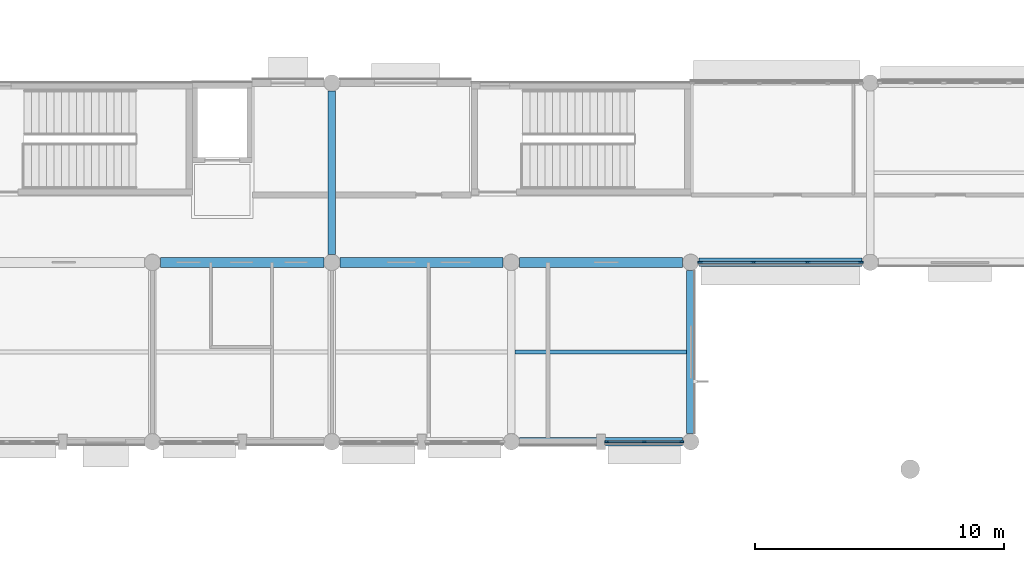
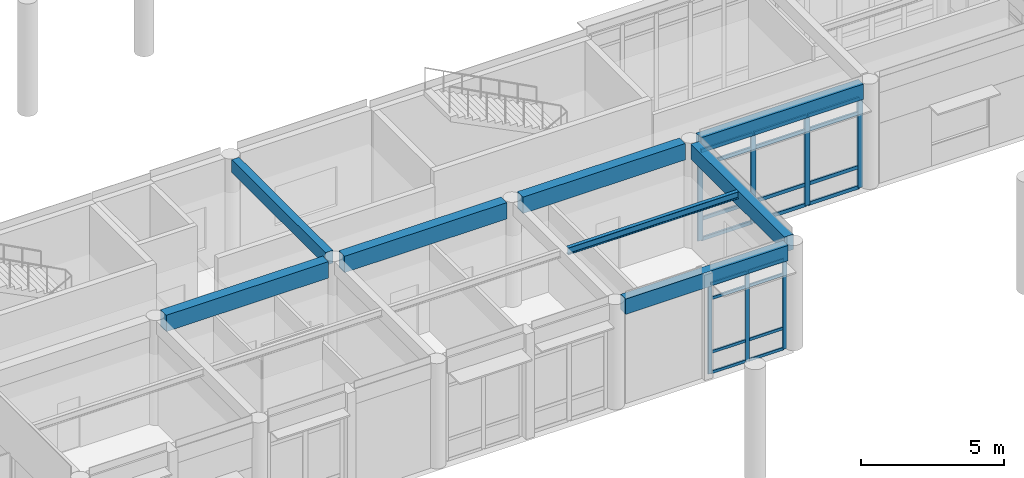
# One storey, part 14 of 92: 27 members, 8 beams, 2 elements without a shape of their own.
"""IFC4 building model written with IfcOpenShell, lengths in metres."""

import ifcopenshell
import ifcopenshell.guid

model = None  # the IFC model being written
_history = None  # IfcOwnerHistory: only IFC2X3 demands one
_inside = {}  # id of a spatial element -> (the spatial element, [elements in it])
_under = {}  # id of a project, library or spatial element -> (it, [spatial elements below it])
_declared = {}  # id of a project -> (the project, [libraries it declares])
_typed = {}  # id of a type object -> (the type object, [elements of that type])
_made_of = {}  # id of a material, layer set ... -> (it, [elements and type objects made of it])


def new_model(schema):
    """Start an empty IFC model of exactly this schema.

    Asked for "IFC4X3", IfcOpenShell would pick the latest addendum, in which some entities
    have other attributes; the version numbers below select the first issue.
    IFC2X3 requires an IfcOwnerHistory on every rooted entity: one is made here for all.
    """
    global model, _history
    if schema == "IFC4X3":
        model = ifcopenshell.file(schema_version=(4, 3, 0, 0))
    else:
        model = ifcopenshell.file(schema=schema)
    _inside.clear()
    _under.clear()
    _declared.clear()
    _typed.clear()
    _made_of.clear()
    _history = None
    if model.schema == "IFC2X3":
        org = make("IfcOrganization", Name="unknown")
        user = make(
            "IfcPersonAndOrganization",
            ThePerson=make("IfcPerson", FamilyName="unknown"),
            TheOrganization=org,
        )
        app = make(
            "IfcApplication",
            ApplicationDeveloper=org,
            Version="unknown",
            ApplicationFullName="unknown",
            ApplicationIdentifier="unknown",
        )
        _history = make(
            "IfcOwnerHistory",
            OwningUser=user,
            OwningApplication=app,
            ChangeAction="ADDED",
            CreationDate=0,
        )
    return model


def make(cls, **values):
    """One entity of the class cls with the attributes given. An attribute that is None is left unset."""
    return model.create_entity(
        cls, **{name: value for name, value in values.items() if value is not None}
    )


def rooted(cls, **values):
    """An entity with a GlobalId (a new one), such as an element, a storey or a relation."""
    return make(cls, GlobalId=ifcopenshell.guid.new(), OwnerHistory=_history, **values)


def si_unit(unit_type, name, prefix=None):
    """IfcSIUnit, for example si_unit("LENGTHUNIT", "METRE", prefix="MILLI")."""
    return make("IfcSIUnit", UnitType=unit_type, Prefix=prefix, Name=name)


def assignment(units):
    """IfcUnitAssignment: the units of a project."""
    return None if units is None else make("IfcUnitAssignment", Units=units)


def point(xyz):
    """IfcCartesianPoint."""
    return None if xyz is None else make("IfcCartesianPoint", Coordinates=xyz)


def direction(xyz):
    """IfcDirection."""
    return None if xyz is None else make("IfcDirection", DirectionRatios=xyz)


def frame(location, z_axis=None, x_axis=None):
    """IfcAxis2Placement3D, a coordinate frame: its origin and axes. An axis left out is left unset."""
    return make(
        "IfcAxis2Placement3D",
        Location=point(location),
        Axis=direction(z_axis),
        RefDirection=direction(x_axis),
    )


def frame_2d(location, x_axis=None):
    """IfcAxis2Placement2D, a coordinate frame in the plane: its origin and x axis."""
    return make(
        "IfcAxis2Placement2D", Location=point(location), RefDirection=direction(x_axis)
    )


def origin():
    """The frame at (0, 0, 0) with its axes left unset."""
    return frame((0.0, 0.0, 0.0))


def origin_2d():
    """The frame at (0, 0) in the plane with its x axis left unset."""
    return frame_2d((0.0, 0.0))


def place(relative_to, where):
    """IfcLocalPlacement: puts the frame where relative to a parent placement (None: the world)."""
    return make(
        "IfcLocalPlacement", PlacementRelTo=relative_to, RelativePlacement=where
    )


def context(
    kind, dimensions, precision=None, world=None, true_north=None, identifier=None
):
    """IfcGeometricRepresentationContext, for example the 3D "Model" context."""
    return make(
        "IfcGeometricRepresentationContext",
        ContextIdentifier=identifier,
        ContextType=kind,
        CoordinateSpaceDimension=dimensions,
        Precision=precision,
        WorldCoordinateSystem=world,
        TrueNorth=true_north,
    )


def subcontext(parent, identifier, kind, view, scale=None):
    """IfcGeometricRepresentationSubContext, for example "Body" below "Model"."""
    return make(
        "IfcGeometricRepresentationSubContext",
        ContextIdentifier=identifier,
        ContextType=kind,
        ParentContext=parent,
        TargetScale=scale,
        TargetView=view,
    )


def project(units=None, contexts=None):
    """IfcProject with its units and contexts."""
    return rooted(
        "IfcProject",
        Name="project",
        RepresentationContexts=contexts,
        UnitsInContext=assignment(units),
    )


def spatial(cls, under=None, at=None, **own):
    """A site, building, storey or space (cls), placed at a placement, below another one or the project."""
    s = rooted(cls, ObjectPlacement=at, **own)
    if under is not None:
        _under.setdefault(under.id(), (under, []))[1].append(s)
    return s


def profile(cls, at=None, kind="AREA", **sizes):
    """A parametric profile (cls). Its sizes go by their IFC names, for example OverallWidth=200.0."""
    return make(cls, ProfileType=kind, Position=at, **sizes)


def rectangle(**sizes):
    """IfcRectangleProfileDef."""
    return profile("IfcRectangleProfileDef", **sizes)


def i_section(**sizes):
    """IfcIShapeProfileDef."""
    return profile("IfcIShapeProfileDef", **sizes)


def extrude(swept, where, along, depth):
    """IfcExtrudedAreaSolid: the profile swept, set in the frame where, extruded along a direction by depth."""
    return make(
        "IfcExtrudedAreaSolid",
        SweptArea=swept,
        Position=where,
        ExtrudedDirection=direction(along),
        Depth=depth,
    )


def shape(context_of_items, identifier, shape_type, items):
    """IfcShapeRepresentation: the items that make up one representation, for example the "Body"."""
    return make(
        "IfcShapeRepresentation",
        ContextOfItems=context_of_items,
        RepresentationIdentifier=identifier,
        RepresentationType=shape_type,
        Items=items,
    )


def material(Name=None, Category=None):
    """IfcMaterial."""
    return make("IfcMaterial", Name=Name, Category=Category)


def layer(
    of_material, thickness, ventilated=None, Name=None, Category=None, Priority=None
):
    """IfcMaterialLayer: one layer of a wall or slab, of a material (None: an air gap)."""
    return make(
        "IfcMaterialLayer",
        Material=of_material,
        LayerThickness=thickness,
        IsVentilated=ventilated,
        Name=Name,
        Category=Category,
        Priority=Priority,
    )


def layer_set(layers, Name=None):
    """IfcMaterialLayerSet."""
    return make("IfcMaterialLayerSet", MaterialLayers=layers, LayerSetName=Name)


def material_profile(
    of_material, cross_section, Name=None, Category=None, Priority=None
):
    """IfcMaterialProfile: a cross section and its material."""
    return make(
        "IfcMaterialProfile",
        Name=Name,
        Material=of_material,
        Profile=cross_section,
        Priority=Priority,
        Category=Category,
    )


def profile_set(profiles, Name=None, composite=None):
    """IfcMaterialProfileSet."""
    return make(
        "IfcMaterialProfileSet",
        Name=Name,
        MaterialProfiles=profiles,
        CompositeProfile=composite,
    )


def made_of(thing, what):
    """Note that an element or type object is made of a material, layer set ...; save() writes the relation."""
    if what is not None:
        _made_of.setdefault(what.id(), (what, []))[1].append(thing)
    return thing


def type_object(cls, material=None, **own):
    """A type object (cls), such as IfcWallType, which elements share."""
    return made_of(rooted(cls, **own), material)


def element(
    cls,
    number,
    at=None,
    inside=None,
    cuts=None,
    type_object=None,
    material=None,
    context=None,
    identifier="Body",
    shape_type=None,
    held_by="IfcProductDefinitionShape",
    body=None,
    shapes=None,
    **own,
):
    """One element of the class cls, such as IfcWall. Its Tag is "e" and its number.

    at: its placement. inside: the storey or other place that contains it. cuts: it is an
    opening in that element (IfcRelVoidsElement). A single representation is given by context,
    identifier, shape_type and body (its items); several are given by shapes. held_by: the class
    of the entity that holds the representations. save() writes the other relations.
    """
    e = rooted(cls, Tag="e%d" % number, ObjectPlacement=at, **own)
    if body is not None:
        shapes = [shape(context, identifier, shape_type, body)]
    if shapes is not None:
        e.Representation = make(held_by, Representations=shapes)
    if inside is not None:
        _inside.setdefault(inside.id(), (inside, []))[1].append(e)
    if cuts is not None:
        rooted(
            "IfcRelVoidsElement", RelatingBuildingElement=cuts, RelatedOpeningElement=e
        )
    if type_object is not None:
        _typed.setdefault(type_object.id(), (type_object, []))[1].append(e)
    return made_of(e, material)


def aggregate(whole, parts):
    """IfcRelAggregates: a whole, such as a stair, and the parts it consists of."""
    return rooted("IfcRelAggregates", RelatingObject=whole, RelatedObjects=parts)


def save(model, path):
    """Write the relations noted so far, then the file.

    IfcRelAggregates (storeys below a building ...), IfcRelContainedInSpatialStructure (elements
    in a storey), IfcRelDefinesByType, IfcRelAssociatesMaterial and IfcRelDeclares: one each for
    every whole, place, type object, material and project.
    """
    for whole, parts in _under.values():
        aggregate(whole, parts)
    for where, things in _inside.values():
        rooted(
            "IfcRelContainedInSpatialStructure",
            RelatedElements=things,
            RelatingStructure=where,
        )
    for kind, things in _typed.values():
        rooted("IfcRelDefinesByType", RelatedObjects=things, RelatingType=kind)
    for what, things in _made_of.values():
        rooted("IfcRelAssociatesMaterial", RelatedObjects=things, RelatingMaterial=what)
    for by, libraries in _declared.values():
        rooted("IfcRelDeclares", RelatingContext=by, RelatedDefinitions=libraries)
    model.write(path)


model = new_model("IFC4")

# Units and contexts
model_context = context("Model", 3, precision=1e-05, world=origin(), true_north=direction((0.0, 1.0)))
body_context = subcontext(model_context, "Body", "Model", "MODEL_VIEW")
ifc_project = project(units=[si_unit("LENGTHUNIT", "METRE"), si_unit("AREAUNIT", "SQUARE_METRE"), si_unit("VOLUMEUNIT", "CUBIC_METRE"), si_unit("PLANEANGLEUNIT", "RADIAN"), si_unit("MASSUNIT", "GRAM", prefix="KILO")], contexts=[model_context])

# Site, building, storey
site_placement = place(None, origin())
site = spatial("IfcSite", under=ifc_project, at=site_placement, CompositionType="ELEMENT")
building_placement = place(site_placement, origin())
building = spatial("IfcBuilding", under=site, at=building_placement, Name="Namkhue Oval Health Centre", CompositionType="ELEMENT")
storey_placement = place(building_placement, frame((0.0, 0.0, 4.800048828125)))
storey = spatial("IfcBuildingStorey", under=building, at=storey_placement, Name="L01", CompositionType="ELEMENT", Elevation=4.800048828125)

# Curtain wall, members
ifc_material_1 = material(Name="Anodised aluminium EN AW-6063 T6", Category="aluminium")
ifc_layer_1 = layer(ifc_material_1, 0.159912109375)
ifc_layer_set_1 = layer_set([ifc_layer_1], Name="Anodised aluminium EN AW-6063 T6")
curtain_wall_type_1 = type_object("IfcCurtainWallType", Name="UNITISED CURTAIN WALL M1800", PredefinedType="NOTDEFINED", material=ifc_layer_set_1)
curtain_wall_1_placement = place(storey_placement, origin())
curtain_wall_1 = element("IfcCurtainWall", 1, at=curtain_wall_1_placement, inside=storey, type_object=curtain_wall_type_1, Name="Volume V5 L01 Unitised Curtain Wall 191", PredefinedType="NOTDEFINED")
ifc_material_profile_1 = material_profile(ifc_material_1, rectangle(XDim=0.06494140625, YDim=0.159912109375, at=origin_2d()), Name="ALU 65x160")
ifc_profile_set_1 = profile_set([ifc_material_profile_1], Name="Anodised aluminium EN AW-6063 T6")
member_type_1 = type_object("IfcMemberType", Name="CURTAIN WALL MULLION 65X160", PredefinedType="MULLION", material=ifc_profile_set_1)
member_1_placement = place(storey_placement, frame((119.0185546875, 14.39990234375, 0.0), z_axis=(0.0, 0.0, 1.0), x_axis=(0.0, 1.0, 0.0)))
member_1 = element("IfcMember", 2, at=member_1_placement, type_object=member_type_1, Name="CW-05 mullion 1", PredefinedType="MULLION", context=body_context, shape_type="SweptSolid", body=[
    extrude(rectangle(XDim=0.06494140625, YDim=0.159912109375, at=origin_2d()), origin(), (0.0, 0.0, 1.0), 3.83984375),
])
member_2_placement = place(storey_placement, frame((120.525390625, 14.39990234375, 0.0), z_axis=(0.0, 0.0, 1.0), x_axis=(0.0, 1.0, 0.0)))
member_2 = element("IfcMember", 3, at=member_2_placement, type_object=member_type_1, Name="CW-05 mullion 2", PredefinedType="MULLION", context=body_context, shape_type="SweptSolid", body=[
    extrude(rectangle(XDim=0.06494140625, YDim=0.159912109375, at=origin_2d()), origin(), (0.0, 0.0, 1.0), 3.83984375),
])
member_3_placement = place(storey_placement, frame((122.032470703125, 14.39990234375, 0.0), z_axis=(0.0, 0.0, 1.0), x_axis=(0.0, 1.0, 0.0)))
member_3 = element("IfcMember", 4, at=member_3_placement, type_object=member_type_1, Name="CW-05 mullion 3", PredefinedType="MULLION", context=body_context, shape_type="SweptSolid", body=[
    extrude(rectangle(XDim=0.06494140625, YDim=0.159912109375, at=origin_2d()), origin(), (0.0, 0.0, 1.0), 3.83984375),
])

ifc_layer_2 = layer(ifc_material_1, 0.159912109375)
ifc_layer_set_2 = layer_set([ifc_layer_2], Name="Anodised aluminium EN AW-6063 T6")
curtain_wall_type_2 = type_object("IfcCurtainWallType", Name="UNITISED CURTAIN WALL M2000", PredefinedType="NOTDEFINED", material=ifc_layer_set_2)
curtain_wall_2_placement = place(storey_placement, origin())
curtain_wall_2 = element("IfcCurtainWall", 5, at=curtain_wall_2_placement, inside=storey, type_object=curtain_wall_type_2, Name="Volume V5 L01 Unitised Curtain Wall 192", PredefinedType="NOTDEFINED")
ifc_material_profile_2 = material_profile(ifc_material_1, rectangle(XDim=0.074951171875, YDim=0.199951171875, at=origin_2d()), Name="ALU 75x200")
ifc_profile_set_2 = profile_set([ifc_material_profile_2], Name="Anodised aluminium EN AW-6063 T6")
member_type_2 = type_object("IfcMemberType", Name="CURTAIN WALL MULLION 75X200", PredefinedType="MULLION", material=ifc_profile_set_2)
member_4_placement = place(storey_placement, frame((122.7724609375, 21.60009765625, 0.0), z_axis=(0.0, 0.0, 1.0), x_axis=(0.0, 1.0, 0.0)))
member_4 = element("IfcMember", 6, at=member_4_placement, type_object=member_type_2, Name="CW-06 mullion 1", PredefinedType="MULLION", context=body_context, shape_type="SweptSolid", body=[
    extrude(rectangle(XDim=0.074951171875, YDim=0.199951171875, at=origin_2d()), origin(), (0.0, 0.0, 1.0), 3.83984375),
])
member_5_placement = place(storey_placement, frame((124.91162109375, 21.60009765625, 0.0), z_axis=(0.0, 0.0, 1.0), x_axis=(0.0, 1.0, 0.0)))
member_5 = element("IfcMember", 7, at=member_5_placement, type_object=member_type_2, Name="CW-06 mullion 2", PredefinedType="MULLION", context=body_context, shape_type="SweptSolid", body=[
    extrude(rectangle(XDim=0.074951171875, YDim=0.199951171875, at=origin_2d()), origin(), (0.0, 0.0, 1.0), 3.83984375),
])
member_6_placement = place(storey_placement, frame((127.08837890625, 21.60009765625, 0.0), z_axis=(0.0, 0.0, 1.0), x_axis=(0.0, 1.0, 0.0)))
member_6 = element("IfcMember", 8, at=member_6_placement, type_object=member_type_2, Name="CW-06 mullion 3", PredefinedType="MULLION", context=body_context, shape_type="SweptSolid", body=[
    extrude(rectangle(XDim=0.074951171875, YDim=0.199951171875, at=origin_2d()), origin(), (0.0, 0.0, 1.0), 3.83984375),
])
member_7_placement = place(storey_placement, frame((129.2275390625, 21.60009765625, 0.0), z_axis=(0.0, 0.0, 1.0), x_axis=(0.0, 1.0, 0.0)))
member_7 = element("IfcMember", 9, at=member_7_placement, type_object=member_type_2, Name="CW-06 mullion 4", PredefinedType="MULLION", context=body_context, shape_type="SweptSolid", body=[
    extrude(rectangle(XDim=0.074951171875, YDim=0.199951171875, at=origin_2d()), origin(), (0.0, 0.0, 1.0), 3.83984375),
])

# Member
ifc_material_profile_3 = material_profile(ifc_material_1, rectangle(XDim=0.06494140625, YDim=0.1201171875, at=origin_2d()), Name="ALU 65x120")
ifc_profile_set_3 = profile_set([ifc_material_profile_3], Name="Anodised aluminium EN AW-6063 T6")
member_type_3 = type_object("IfcMemberType", Name="CURTAIN WALL TRANSOM 65X120", PredefinedType="USERDEFINED", material=ifc_profile_set_3)
member_8_placement = place(storey_placement, frame((119.051025390625, 14.39990234375, 0.032470703125), z_axis=(1.0, 0.0, 0.0), x_axis=(0.0, 1.0, 0.0)))
member_8 = element("IfcMember", 10, at=member_8_placement, type_object=member_type_3, Name="CW-05 transom 1.1", ObjectType="TRANSOM", PredefinedType="USERDEFINED", context=body_context, shape_type="SweptSolid", body=[
    extrude(rectangle(XDim=0.06494140625, YDim=0.1201171875, at=origin_2d()), origin(), (0.0, 0.0, 1.0), 1.44189453125),
])

member_9_placement = place(storey_placement, frame((119.051025390625, 14.39990234375, 0.89990234375), z_axis=(1.0, 0.0, 0.0), x_axis=(0.0, 1.0, 0.0)))
member_9 = element("IfcMember", 11, at=member_9_placement, type_object=member_type_3, Name="CW-05 transom 1.2", ObjectType="TRANSOM", PredefinedType="USERDEFINED", context=body_context, shape_type="SweptSolid", body=[
    extrude(rectangle(XDim=0.06494140625, YDim=0.1201171875, at=origin_2d()), origin(), (0.0, 0.0, 1.0), 1.44189453125),
])

member_10_placement = place(storey_placement, frame((119.051025390625, 14.39990234375, 3.18994140625), z_axis=(1.0, 0.0, 0.0), x_axis=(0.0, 1.0, 0.0)))
member_10 = element("IfcMember", 12, at=member_10_placement, type_object=member_type_3, Name="CW-05 transom 1.3", ObjectType="TRANSOM", PredefinedType="USERDEFINED", context=body_context, shape_type="SweptSolid", body=[
    extrude(rectangle(XDim=0.06494140625, YDim=0.1201171875, at=origin_2d()), origin(), (0.0, 0.0, 1.0), 1.44189453125),
])

member_11_placement = place(storey_placement, frame((119.051025390625, 14.39990234375, 3.807373046875), z_axis=(1.0, 0.0, 0.0), x_axis=(0.0, 1.0, 0.0)))
member_11 = element("IfcMember", 13, at=member_11_placement, type_object=member_type_3, Name="CW-05 transom 1.4", ObjectType="TRANSOM", PredefinedType="USERDEFINED", context=body_context, shape_type="SweptSolid", body=[
    extrude(rectangle(XDim=0.06494140625, YDim=0.1201171875, at=origin_2d()), origin(), (0.0, 0.0, 1.0), 1.44189453125),
])

member_12_placement = place(storey_placement, frame((120.55810546875, 14.39990234375, 0.032470703125), z_axis=(1.0, 0.0, 0.0), x_axis=(0.0, 1.0, 0.0)))
member_12 = element("IfcMember", 14, at=member_12_placement, type_object=member_type_3, Name="CW-05 transom 2.1", ObjectType="TRANSOM", PredefinedType="USERDEFINED", context=body_context, shape_type="SweptSolid", body=[
    extrude(rectangle(XDim=0.06494140625, YDim=0.1201171875, at=origin_2d()), origin(), (0.0, 0.0, 1.0), 1.44189453125),
])

member_13_placement = place(storey_placement, frame((120.55810546875, 14.39990234375, 0.89990234375), z_axis=(1.0, 0.0, 0.0), x_axis=(0.0, 1.0, 0.0)))
member_13 = element("IfcMember", 15, at=member_13_placement, type_object=member_type_3, Name="CW-05 transom 2.2", ObjectType="TRANSOM", PredefinedType="USERDEFINED", context=body_context, shape_type="SweptSolid", body=[
    extrude(rectangle(XDim=0.06494140625, YDim=0.1201171875, at=origin_2d()), origin(), (0.0, 0.0, 1.0), 1.44189453125),
])

member_14_placement = place(storey_placement, frame((120.55810546875, 14.39990234375, 3.18994140625), z_axis=(1.0, 0.0, 0.0), x_axis=(0.0, 1.0, 0.0)))
member_14 = element("IfcMember", 16, at=member_14_placement, type_object=member_type_3, Name="CW-05 transom 2.3", ObjectType="TRANSOM", PredefinedType="USERDEFINED", context=body_context, shape_type="SweptSolid", body=[
    extrude(rectangle(XDim=0.06494140625, YDim=0.1201171875, at=origin_2d()), origin(), (0.0, 0.0, 1.0), 1.44189453125),
])

member_15_placement = place(storey_placement, frame((120.55810546875, 14.39990234375, 3.807373046875), z_axis=(1.0, 0.0, 0.0), x_axis=(0.0, 1.0, 0.0)))
member_15 = element("IfcMember", 17, at=member_15_placement, type_object=member_type_3, Name="CW-05 transom 2.4", ObjectType="TRANSOM", PredefinedType="USERDEFINED", context=body_context, shape_type="SweptSolid", body=[
    extrude(rectangle(XDim=0.06494140625, YDim=0.1201171875, at=origin_2d()), origin(), (0.0, 0.0, 1.0), 1.44189453125),
])

aggregate(curtain_wall_1, [member_1, member_2, member_3, member_8, member_9, member_10, member_11, member_12, member_13, member_14, member_15])

ifc_material_profile_4 = material_profile(ifc_material_1, rectangle(XDim=0.074951171875, YDim=0.14990234375, at=origin_2d()), Name="ALU 75x150")
ifc_profile_set_4 = profile_set([ifc_material_profile_4], Name="Anodised aluminium EN AW-6063 T6")
member_type_4 = type_object("IfcMemberType", Name="CURTAIN WALL TRANSOM 75X150", PredefinedType="USERDEFINED", material=ifc_profile_set_4)
member_16_placement = place(storey_placement, frame((122.81005859375, 21.60009765625, 0.037353515625), z_axis=(1.0, 0.0, 0.0), x_axis=(0.0, 1.0, 0.0)))
member_16 = element("IfcMember", 18, at=member_16_placement, type_object=member_type_4, Name="CW-06 transom 1.1", ObjectType="TRANSOM", PredefinedType="USERDEFINED", context=body_context, shape_type="SweptSolid", body=[
    extrude(rectangle(XDim=0.074951171875, YDim=0.14990234375, at=origin_2d()), origin(), (0.0, 0.0, 1.0), 2.064208984375),
])

member_17_placement = place(storey_placement, frame((122.81005859375, 21.60009765625, 0.89990234375), z_axis=(1.0, 0.0, 0.0), x_axis=(0.0, 1.0, 0.0)))
member_17 = element("IfcMember", 19, at=member_17_placement, type_object=member_type_4, Name="CW-06 transom 1.2", ObjectType="TRANSOM", PredefinedType="USERDEFINED", context=body_context, shape_type="SweptSolid", body=[
    extrude(rectangle(XDim=0.074951171875, YDim=0.14990234375, at=origin_2d()), origin(), (0.0, 0.0, 1.0), 2.064208984375),
])

member_18_placement = place(storey_placement, frame((122.81005859375, 21.60009765625, 3.18994140625), z_axis=(1.0, 0.0, 0.0), x_axis=(0.0, 1.0, 0.0)))
member_18 = element("IfcMember", 20, at=member_18_placement, type_object=member_type_4, Name="CW-06 transom 1.3", ObjectType="TRANSOM", PredefinedType="USERDEFINED", context=body_context, shape_type="SweptSolid", body=[
    extrude(rectangle(XDim=0.074951171875, YDim=0.14990234375, at=origin_2d()), origin(), (0.0, 0.0, 1.0), 2.064208984375),
])

member_19_placement = place(storey_placement, frame((122.81005859375, 21.60009765625, 3.802490234375), z_axis=(1.0, 0.0, 0.0), x_axis=(0.0, 1.0, 0.0)))
member_19 = element("IfcMember", 21, at=member_19_placement, type_object=member_type_4, Name="CW-06 transom 1.4", ObjectType="TRANSOM", PredefinedType="USERDEFINED", context=body_context, shape_type="SweptSolid", body=[
    extrude(rectangle(XDim=0.074951171875, YDim=0.14990234375, at=origin_2d()), origin(), (0.0, 0.0, 1.0), 2.064208984375),
])

member_20_placement = place(storey_placement, frame((124.94921875, 21.60009765625, 0.037353515625), z_axis=(1.0, 0.0, 0.0), x_axis=(0.0, 1.0, 0.0)))
member_20 = element("IfcMember", 22, at=member_20_placement, type_object=member_type_4, Name="CW-06 transom 2.1", ObjectType="TRANSOM", PredefinedType="USERDEFINED", context=body_context, shape_type="SweptSolid", body=[
    extrude(rectangle(XDim=0.074951171875, YDim=0.14990234375, at=origin_2d()), origin(), (0.0, 0.0, 1.0), 2.1015625),
])

member_21_placement = place(storey_placement, frame((124.94921875, 21.60009765625, 0.89990234375), z_axis=(1.0, 0.0, 0.0), x_axis=(0.0, 1.0, 0.0)))
member_21 = element("IfcMember", 23, at=member_21_placement, type_object=member_type_4, Name="CW-06 transom 2.2", ObjectType="TRANSOM", PredefinedType="USERDEFINED", context=body_context, shape_type="SweptSolid", body=[
    extrude(rectangle(XDim=0.074951171875, YDim=0.14990234375, at=origin_2d()), origin(), (0.0, 0.0, 1.0), 2.1015625),
])

member_22_placement = place(storey_placement, frame((124.94921875, 21.60009765625, 3.18994140625), z_axis=(1.0, 0.0, 0.0), x_axis=(0.0, 1.0, 0.0)))
member_22 = element("IfcMember", 24, at=member_22_placement, type_object=member_type_4, Name="CW-06 transom 2.3", ObjectType="TRANSOM", PredefinedType="USERDEFINED", context=body_context, shape_type="SweptSolid", body=[
    extrude(rectangle(XDim=0.074951171875, YDim=0.14990234375, at=origin_2d()), origin(), (0.0, 0.0, 1.0), 2.1015625),
])

member_23_placement = place(storey_placement, frame((124.94921875, 21.60009765625, 3.802490234375), z_axis=(1.0, 0.0, 0.0), x_axis=(0.0, 1.0, 0.0)))
member_23 = element("IfcMember", 25, at=member_23_placement, type_object=member_type_4, Name="CW-06 transom 2.4", ObjectType="TRANSOM", PredefinedType="USERDEFINED", context=body_context, shape_type="SweptSolid", body=[
    extrude(rectangle(XDim=0.074951171875, YDim=0.14990234375, at=origin_2d()), origin(), (0.0, 0.0, 1.0), 2.1015625),
])

member_24_placement = place(storey_placement, frame((127.125732421875, 21.60009765625, 0.037353515625), z_axis=(1.0, 0.0, 0.0), x_axis=(0.0, 1.0, 0.0)))
member_24 = element("IfcMember", 26, at=member_24_placement, type_object=member_type_4, Name="CW-06 transom 3.1", ObjectType="TRANSOM", PredefinedType="USERDEFINED", context=body_context, shape_type="SweptSolid", body=[
    extrude(rectangle(XDim=0.074951171875, YDim=0.14990234375, at=origin_2d()), origin(), (0.0, 0.0, 1.0), 2.064208984375),
])

member_25_placement = place(storey_placement, frame((127.125732421875, 21.60009765625, 0.89990234375), z_axis=(1.0, 0.0, 0.0), x_axis=(0.0, 1.0, 0.0)))
member_25 = element("IfcMember", 27, at=member_25_placement, type_object=member_type_4, Name="CW-06 transom 3.2", ObjectType="TRANSOM", PredefinedType="USERDEFINED", context=body_context, shape_type="SweptSolid", body=[
    extrude(rectangle(XDim=0.074951171875, YDim=0.14990234375, at=origin_2d()), origin(), (0.0, 0.0, 1.0), 2.064208984375),
])

member_26_placement = place(storey_placement, frame((127.125732421875, 21.60009765625, 3.18994140625), z_axis=(1.0, 0.0, 0.0), x_axis=(0.0, 1.0, 0.0)))
member_26 = element("IfcMember", 28, at=member_26_placement, type_object=member_type_4, Name="CW-06 transom 3.3", ObjectType="TRANSOM", PredefinedType="USERDEFINED", context=body_context, shape_type="SweptSolid", body=[
    extrude(rectangle(XDim=0.074951171875, YDim=0.14990234375, at=origin_2d()), origin(), (0.0, 0.0, 1.0), 2.064208984375),
])

member_27_placement = place(storey_placement, frame((127.125732421875, 21.60009765625, 3.802490234375), z_axis=(1.0, 0.0, 0.0), x_axis=(0.0, 1.0, 0.0)))
member_27 = element("IfcMember", 29, at=member_27_placement, type_object=member_type_4, Name="CW-06 transom 3.4", ObjectType="TRANSOM", PredefinedType="USERDEFINED", context=body_context, shape_type="SweptSolid", body=[
    extrude(rectangle(XDim=0.074951171875, YDim=0.14990234375, at=origin_2d()), origin(), (0.0, 0.0, 1.0), 2.064208984375),
])

aggregate(curtain_wall_2, [member_4, member_5, member_6, member_7, member_16, member_17, member_18, member_19, member_20, member_21, member_22, member_23, member_24, member_25, member_26, member_27])

# Beams
ifc_material_2 = material(Name="Reinforced concrete C30/37 (TCVN B35)", Category="concrete")
ifc_material_profile_5 = material_profile(ifc_material_2, rectangle(XDim=0.300048828125, YDim=0.550048828125, at=origin_2d()), Name="RC 300x550")
ifc_profile_set_5 = profile_set([ifc_material_profile_5], Name="Reinforced concrete C30/37 (TCVN B35)")
beam_type_1 = type_object("IfcBeamType", Name="FLOOR BEAM RC 300X550", PredefinedType="BEAM", material=ifc_profile_set_5)
beam_1_placement = place(storey_placement, frame((108.0, 21.925048828125, 4.21484375), z_axis=(0.0, 1.0, 0.0), x_axis=(-1.0, 0.0, 0.0)))
element("IfcBeam", 30, at=beam_1_placement, inside=storey, type_object=beam_type_1, Name="Volume V5 L02 Beam 16/D-E", PredefinedType="BEAM", context=body_context, shape_type="SweptSolid", body=[
    extrude(rectangle(XDim=0.300048828125, YDim=0.550048828125, at=origin_2d()), origin(), (0.0, 0.0, 1.0), 6.550048828125),
])
ifc_material_3 = material(Name="Reinforced concrete C35/45 (TCVN B40)", Category="concrete")
ifc_material_profile_6 = material_profile(ifc_material_3, rectangle(XDim=0.35009765625, YDim=0.64990234375, at=origin_2d()), Name="RC 350x650")
ifc_profile_set_6 = profile_set([ifc_material_profile_6], Name="Reinforced concrete C35/45 (TCVN B40)")
beam_type_2 = type_object("IfcBeamType", Name="PERIMETER SPANDREL BEAM 350X650", PredefinedType="SPANDREL", material=ifc_profile_set_6)
beam_2_placement = place(storey_placement, frame((115.52490234375, 14.39990234375, 4.1650390625), z_axis=(1.0, 0.0, 0.0), x_axis=(0.0, 1.0, 0.0)))
element("IfcBeam", 31, at=beam_2_placement, inside=storey, type_object=beam_type_2, Name="Volume V5 L02 Girder C/17-18", PredefinedType="SPANDREL", context=body_context, shape_type="SweptSolid", body=[
    extrude(rectangle(XDim=0.35009765625, YDim=0.64990234375, at=origin_2d()), origin(), (0.0, 0.0, 1.0), 6.550048828125),
])
for number, where, z_axis, x_axis, name in (
    (32, (122.72509765625, 21.60009765625, 4.1650390625), (1.0, 0.0, 0.0), (0.0, 1.0, 0.0), "Volume V5 L02 Girder D/18-19"),
    (33, (122.39990234375, 14.72509765625, 4.1650390625), (0.0, 1.0, 0.0), (-1.0, 0.0, 0.0), "Volume V5 L02 Beam 18/C-D"),
):
    element("IfcBeam", number, at=place(storey_placement, frame(where, z_axis=z_axis, x_axis=x_axis)), inside=storey, type_object=beam_type_2, Name=name, PredefinedType="SPANDREL", context=body_context, shape_type="SweptSolid", body=[
        extrude(rectangle(XDim=0.35009765625, YDim=0.64990234375, at=origin_2d()), origin(), (0.0, 0.0, 1.0), 6.5498046875),
    ])
ifc_material_profile_7 = material_profile(ifc_material_3, rectangle(XDim=0.39990234375, YDim=0.699951171875, at=origin_2d()), Name="RC 400x700")
ifc_profile_set_7 = profile_set([ifc_material_profile_7], Name="Reinforced concrete C35/45 (TCVN B40)")
beam_type_3 = type_object("IfcBeamType", Name="PRIMARY GIRDER RC 400X700", PredefinedType="USERDEFINED", material=ifc_profile_set_7)
for number, where, z_axis, x_axis, name in (
    (34, (101.125, 21.60009765625, 4.139892578125), (1.0, 0.0, 0.0), (0.0, 1.0, 0.0), "Volume V5 L02 Girder D/15-16"),
    (35, (108.324951171875, 21.60009765625, 4.139892578125), (1.0, 0.0, 0.0), (0.0, 1.0, 0.0), "Volume V5 L02 Girder D/16-17"),
    (36, (115.52490234375, 21.60009765625, 4.139892578125), (1.0, 0.0, 0.0), (0.0, 1.0, 0.0), "Volume V5 L02 Girder D/17-18"),
):
    element("IfcBeam", number, at=place(storey_placement, frame(where, z_axis=z_axis, x_axis=x_axis)), inside=storey, type_object=beam_type_3, Name=name, ObjectType="GIRDER", PredefinedType="USERDEFINED", context=body_context, shape_type="SweptSolid", body=[
        extrude(rectangle(XDim=0.39990234375, YDim=0.699951171875, at=origin_2d()), origin(), (0.0, 0.0, 1.0), 6.550048828125),
    ])
ifc_material_4 = material(Name="Structural steel EN 10025-2 S355JR (TCVN 5575:2024)", Category="steel")
ifc_material_profile_8 = material_profile(ifc_material_4, i_section(OverallWidth=0.14990234375, OverallDepth=0.300048828125, WebThickness=0.007080078125, FlangeThickness=0.0107421875, FilletRadius=0.014892578125, at=origin_2d()), Name="IPE 300")
ifc_profile_set_8 = profile_set([ifc_material_profile_8], Name="Structural steel EN 10025-2 S355JR (TCVN 5575:2024)")
beam_type_4 = type_object("IfcBeamType", Name="SECONDARY JOIST STEEL IPE 300", PredefinedType="JOIST", material=ifc_profile_set_8)
beam_3_placement = place(storey_placement, frame((115.35009765625, 18.0, 4.33984375), z_axis=(1.0, 0.0, 0.0), x_axis=(0.0, 1.0, 0.0)))
element("IfcBeam", 37, at=beam_3_placement, inside=storey, type_object=beam_type_4, Name="Volume V5 L02 Secondary Joist 17-18", PredefinedType="JOIST", context=body_context, shape_type="SweptSolid", body=[
    extrude(i_section(OverallWidth=0.14990234375, OverallDepth=0.300048828125, WebThickness=0.007080078125, FlangeThickness=0.0107421875, FilletRadius=0.014892578125, at=origin_2d()), origin(), (0.0, 0.0, 1.0), 6.875),
])

save(model, "model.ifc")
